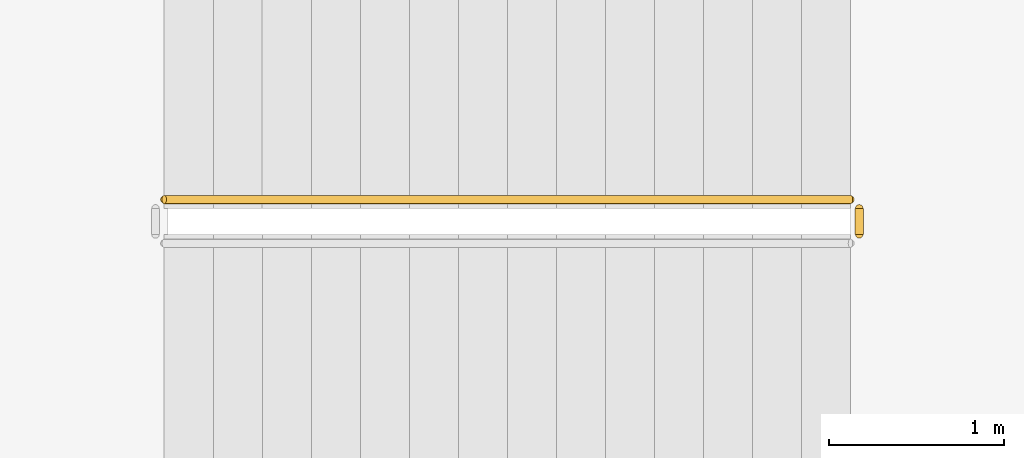
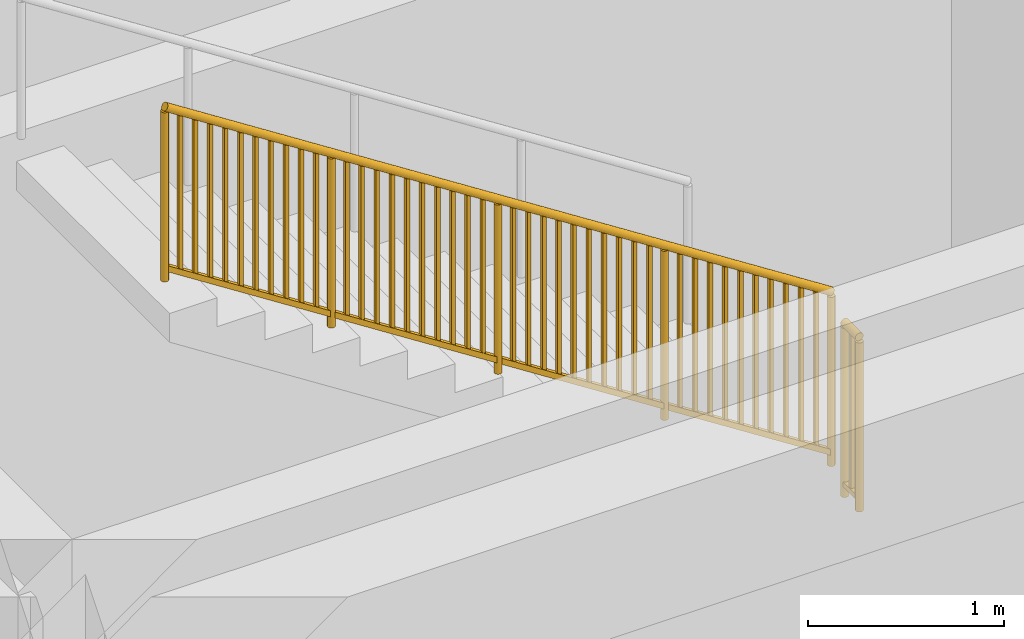
# One storey, part 91 of 95: 2 railings.
"""IFC4 building model written with IfcOpenShell, lengths in metres."""

from ifc_helpers import new_model, si_unit, direction, frame, origin, origin_2d, place, context, subcontext, project, spatial, rectangle, circle, extrude, material, type_object, element, save


model = new_model("IFC4")

# Units and contexts
model_context = context("Model", 3, precision=1e-05, world=origin(), true_north=direction((0.0, 1.0)))
body_context = subcontext(model_context, "Body", "Model", "MODEL_VIEW")
ifc_project = project(units=[si_unit("LENGTHUNIT", "METRE"), si_unit("AREAUNIT", "SQUARE_METRE"), si_unit("VOLUMEUNIT", "CUBIC_METRE"), si_unit("PLANEANGLEUNIT", "RADIAN"), si_unit("MASSUNIT", "GRAM", prefix="KILO")], contexts=[model_context])

# Site, building, storey
site_placement = place(None, origin())
site = spatial("IfcSite", under=ifc_project, at=site_placement, CompositionType="ELEMENT")
building_placement = place(site_placement, origin())
building = spatial("IfcBuilding", under=site, at=building_placement, Name="Zantavel Square City Hall", CompositionType="ELEMENT")
storey_placement = place(building_placement, origin())
storey = spatial("IfcBuildingStorey", under=building, at=storey_placement, Name="L01", CompositionType="ELEMENT", Elevation=0.0)

# Railings
ifc_material = material(Name="Steel ASTM A500 Grade B", Category="steel")
railing_type = type_object("IfcRailingType", Name="Atrium & Gallery Steel Guard Railing 1100mm", PredefinedType="GUARDRAIL", material=ifc_material)
railing_1_placement = place(storey_placement, frame((70.0, 62.9599609375, 2.699951171875)))
element("IfcRailing", 1, at=railing_1_placement, inside=storey, type_object=railing_type, Name="L01 ST5 stair guard 2", PredefinedType="GUARDRAIL", context=body_context, shape_type="SweptSolid", body=[
    extrude(circle(Radius=0.02392578125, at=origin_2d()), frame((0.0, 0.0, 1.076171875), z_axis=(0.0, 1.0, 0.0), x_axis=(-1.0, 0.0, 0.0)), (0.0, 0.0, 1.0), 0.150146484375),
    extrude(rectangle(XDim=0.031982421875, YDim=0.031982421875, at=origin_2d()), frame((0.0, 0.0, 0.080078125), z_axis=(0.0, 1.0, 0.0), x_axis=(-1.0, 0.0, 0.0)), (0.0, 0.0, 1.0), 0.150146484375),
    extrude(rectangle(XDim=0.02197265625, YDim=0.02197265625, at=origin_2d()), frame((0.0, 0.0751953125, 0.080078125)), (0.0, 0.0, 1.0), 0.971923828125),
    extrude(circle(Radius=0.02099609375, at=origin_2d()), origin(), (0.0, 0.0, 1.0), 1.052001953125),
    extrude(circle(Radius=0.02099609375, at=origin_2d()), frame((0.0, 0.150146484375, 0.0)), (0.0, 0.0, 1.0), 1.052001953125),
])
railing_2_placement = place(storey_placement, frame((69.949951171875, 63.159912109375, 2.8798828125)))
element("IfcRailing", 2, at=railing_2_placement, inside=storey, type_object=railing_type, Name="L01 ST5 stair guard 3", PredefinedType="GUARDRAIL", context=body_context, shape_type="SweptSolid", body=[
    extrude(circle(Radius=0.02392578125, at=origin_2d()), frame((0.0, 0.0, 1.076171875), z_axis=(-0.841171666519, 0.0, 0.540768182723), x_axis=(0.0, -1.0, 0.0)), (0.0, 0.0, 1.0), 4.66015625),
    extrude(rectangle(XDim=0.031982421875, YDim=0.031982421875, at=origin_2d()), frame((0.0, 0.0, 0.080078125), z_axis=(-0.841171666519, 0.0, 0.540768182723), x_axis=(0.0, -1.0, 0.0)), (0.0, 0.0, 1.0), 4.66015625),
    extrude(rectangle(XDim=0.02197265625, YDim=0.02197265625, at=origin_2d()), frame((-0.089111328125, 0.0, 0.13720703125)), (0.0, 0.0, 1.0), 0.971923828125),
    extrude(rectangle(XDim=0.02197265625, YDim=0.02197265625, at=origin_2d()), frame((-0.17822265625, 0.0, 0.194580078125)), (0.0, 0.0, 1.0), 0.971923828125),
    extrude(rectangle(XDim=0.02197265625, YDim=0.02197265625, at=origin_2d()), frame((-0.267333984375, 0.0, 0.251708984375)), (0.0, 0.0, 1.0), 0.971923828125),
    extrude(rectangle(XDim=0.02197265625, YDim=0.02197265625, at=origin_2d()), frame((-0.3564453125, 0.0, 0.30908203125)), (0.0, 0.0, 1.0), 0.971923828125),
    extrude(rectangle(XDim=0.02197265625, YDim=0.02197265625, at=origin_2d()), frame((-0.445556640625, 0.0, 0.366455078125)), (0.0, 0.0, 1.0), 0.971923828125),
    extrude(rectangle(XDim=0.02197265625, YDim=0.02197265625, at=origin_2d()), frame((-0.534423828125, 0.0, 0.423583984375)), (0.0, 0.0, 1.0), 0.971923828125),
    extrude(rectangle(XDim=0.02197265625, YDim=0.02197265625, at=origin_2d()), frame((-0.62353515625, 0.0, 0.48095703125)), (0.0, 0.0, 1.0), 0.971923828125),
    extrude(rectangle(XDim=0.02197265625, YDim=0.02197265625, at=origin_2d()), frame((-0.712646484375, 0.0, 0.5380859375)), (0.0, 0.0, 1.0), 0.971923828125),
    extrude(rectangle(XDim=0.02197265625, YDim=0.02197265625, at=origin_2d()), frame((-0.8017578125, 0.0, 0.595458984375)), (0.0, 0.0, 1.0), 0.971923828125),
    extrude(rectangle(XDim=0.02197265625, YDim=0.02197265625, at=origin_2d()), frame((-0.890869140625, 0.0, 0.65283203125)), (0.0, 0.0, 1.0), 0.971923828125),
    extrude(rectangle(XDim=0.02197265625, YDim=0.02197265625, at=origin_2d()), frame((-1.069091796875, 0.0, 0.767333984375)), (0.0, 0.0, 1.0), 0.971923828125),
    extrude(rectangle(XDim=0.02197265625, YDim=0.02197265625, at=origin_2d()), frame((-1.158203125, 0.0, 0.824462890625)), (0.0, 0.0, 1.0), 0.971923828125),
    extrude(rectangle(XDim=0.02197265625, YDim=0.02197265625, at=origin_2d()), frame((-1.247314453125, 0.0, 0.8818359375)), (0.0, 0.0, 1.0), 0.971923828125),
    extrude(rectangle(XDim=0.02197265625, YDim=0.02197265625, at=origin_2d()), frame((-1.33642578125, 0.0, 0.939208984375)), (0.0, 0.0, 1.0), 0.971923828125),
    extrude(rectangle(XDim=0.02197265625, YDim=0.02197265625, at=origin_2d()), frame((-1.425537109375, 0.0, 0.996337890625)), (0.0, 0.0, 1.0), 0.971923828125),
    extrude(rectangle(XDim=0.02197265625, YDim=0.02197265625, at=origin_2d()), frame((-1.514404296875, 0.0, 1.0537109375)), (0.0, 0.0, 1.0), 0.971923828125),
    extrude(rectangle(XDim=0.02197265625, YDim=0.02197265625, at=origin_2d()), frame((-1.603515625, 0.0, 1.11083984375)), (0.0, 0.0, 1.0), 0.971923828125),
    extrude(rectangle(XDim=0.02197265625, YDim=0.02197265625, at=origin_2d()), frame((-1.692626953125, 0.0, 1.168212890625)), (0.0, 0.0, 1.0), 0.971923828125),
    extrude(rectangle(XDim=0.02197265625, YDim=0.02197265625, at=origin_2d()), frame((-1.78173828125, 0.0, 1.225341796875)), (0.0, 0.0, 1.0), 0.971923828125),
    extrude(rectangle(XDim=0.02197265625, YDim=0.02197265625, at=origin_2d()), frame((-1.870849609375, 0.0, 1.28271484375)), (0.0, 0.0, 1.0), 0.971923828125),
    extrude(rectangle(XDim=0.02197265625, YDim=0.02197265625, at=origin_2d()), frame((-2.049072265625, 0.0, 1.397216796875)), (0.0, 0.0, 1.0), 0.971923828125),
    extrude(rectangle(XDim=0.02197265625, YDim=0.02197265625, at=origin_2d()), frame((-2.13818359375, 0.0, 1.45458984375)), (0.0, 0.0, 1.0), 0.971923828125),
    extrude(rectangle(XDim=0.02197265625, YDim=0.02197265625, at=origin_2d()), frame((-2.227294921875, 0.0, 1.51171875)), (0.0, 0.0, 1.0), 0.971923828125),
    extrude(rectangle(XDim=0.02197265625, YDim=0.02197265625, at=origin_2d()), frame((-2.31640625, 0.0, 1.569091796875)), (0.0, 0.0, 1.0), 0.971923828125),
    extrude(rectangle(XDim=0.02197265625, YDim=0.02197265625, at=origin_2d()), frame((-2.405517578125, 0.0, 1.62646484375)), (0.0, 0.0, 1.0), 0.971923828125),
    extrude(rectangle(XDim=0.02197265625, YDim=0.02197265625, at=origin_2d()), frame((-2.494384765625, 0.0, 1.68359375)), (0.0, 0.0, 1.0), 0.971923828125),
    extrude(rectangle(XDim=0.02197265625, YDim=0.02197265625, at=origin_2d()), frame((-2.58349609375, 0.0, 1.740966796875)), (0.0, 0.0, 1.0), 0.971923828125),
    extrude(rectangle(XDim=0.02197265625, YDim=0.02197265625, at=origin_2d()), frame((-2.672607421875, 0.0, 1.798095703125)), (0.0, 0.0, 1.0), 0.971923828125),
    extrude(rectangle(XDim=0.02197265625, YDim=0.02197265625, at=origin_2d()), frame((-2.76171875, 0.0, 1.85546875)), (0.0, 0.0, 1.0), 0.971923828125),
    extrude(rectangle(XDim=0.02197265625, YDim=0.02197265625, at=origin_2d()), frame((-2.850830078125, 0.0, 1.912841796875)), (0.0, 0.0, 1.0), 0.971923828125),
    extrude(rectangle(XDim=0.02197265625, YDim=0.02197265625, at=origin_2d()), frame((-3.029052734375, 0.0, 2.02734375)), (0.0, 0.0, 1.0), 0.971923828125),
    extrude(rectangle(XDim=0.02197265625, YDim=0.02197265625, at=origin_2d()), frame((-3.1181640625, 0.0, 2.08447265625)), (0.0, 0.0, 1.0), 0.971923828125),
    extrude(rectangle(XDim=0.02197265625, YDim=0.02197265625, at=origin_2d()), frame((-3.207275390625, 0.0, 2.141845703125)), (0.0, 0.0, 1.0), 0.971923828125),
    extrude(rectangle(XDim=0.02197265625, YDim=0.02197265625, at=origin_2d()), frame((-3.29638671875, 0.0, 2.19921875)), (0.0, 0.0, 1.0), 0.971923828125),
    extrude(rectangle(XDim=0.02197265625, YDim=0.02197265625, at=origin_2d()), frame((-3.385498046875, 0.0, 2.25634765625)), (0.0, 0.0, 1.0), 0.971923828125),
    extrude(rectangle(XDim=0.02197265625, YDim=0.02197265625, at=origin_2d()), frame((-3.474365234375, 0.0, 2.313720703125)), (0.0, 0.0, 1.0), 0.971923828125),
    extrude(rectangle(XDim=0.02197265625, YDim=0.02197265625, at=origin_2d()), frame((-3.5634765625, 0.0, 2.370849609375)), (0.0, 0.0, 1.0), 0.971923828125),
    extrude(rectangle(XDim=0.02197265625, YDim=0.02197265625, at=origin_2d()), frame((-3.652587890625, 0.0, 2.42822265625)), (0.0, 0.0, 1.0), 0.971923828125),
    extrude(rectangle(XDim=0.02197265625, YDim=0.02197265625, at=origin_2d()), frame((-3.74169921875, 0.0, 2.4853515625)), (0.0, 0.0, 1.0), 0.971923828125),
    extrude(rectangle(XDim=0.02197265625, YDim=0.02197265625, at=origin_2d()), frame((-3.830810546875, 0.0, 2.542724609375)), (0.0, 0.0, 1.0), 0.971923828125),
    extrude(circle(Radius=0.02099609375, at=origin_2d()), origin(), (0.0, 0.0, 1.0), 1.052001953125),
    extrude(circle(Radius=0.02099609375, at=origin_2d()), frame((-0.97998046875, 0.0, 0.6298828125)), (0.0, 0.0, 1.0), 1.052001953125),
    extrude(circle(Radius=0.02099609375, at=origin_2d()), frame((-1.9599609375, 0.0, 1.260009765625)), (0.0, 0.0, 1.0), 1.052001953125),
    extrude(circle(Radius=0.02099609375, at=origin_2d()), frame((-2.93994140625, 0.0, 1.89013671875)), (0.0, 0.0, 1.0), 1.052001953125),
    extrude(circle(Radius=0.02099609375, at=origin_2d()), frame((-3.919921875, 0.0, 2.52001953125)), (0.0, 0.0, 1.0), 1.052001953125),
])

save(model, "model.ifc")
